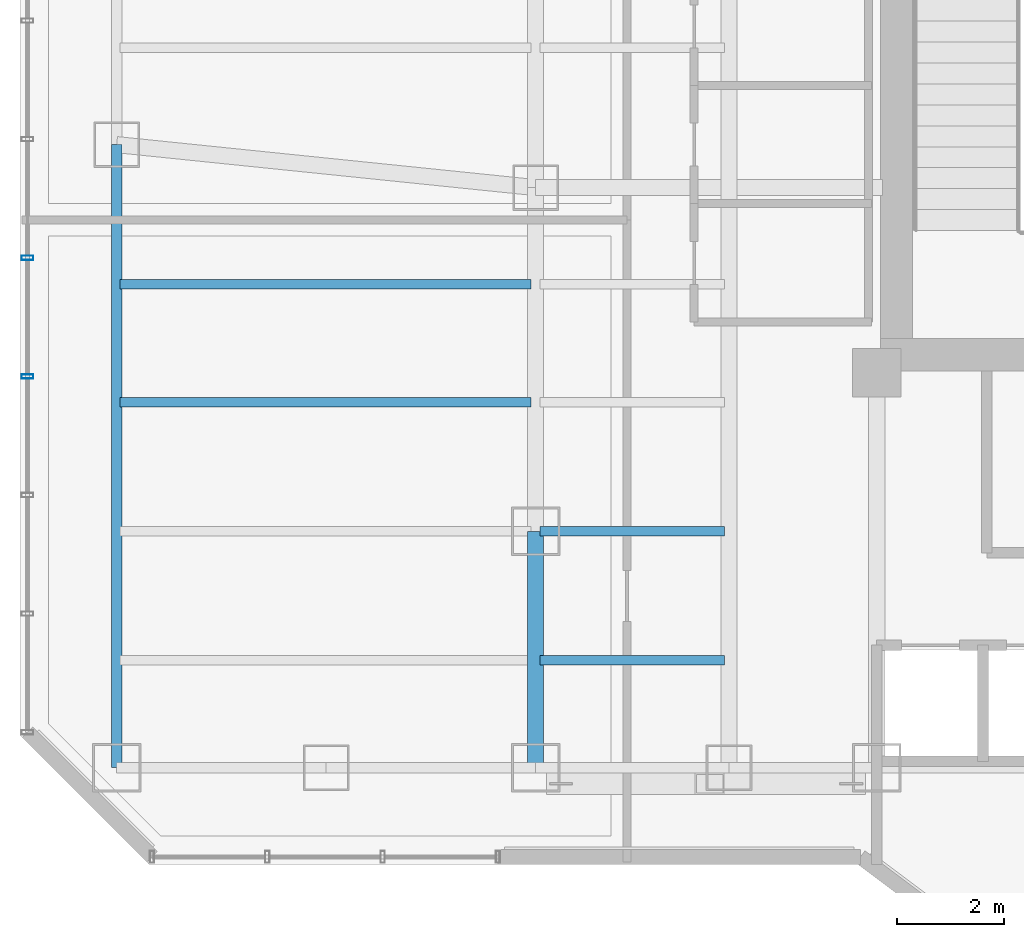
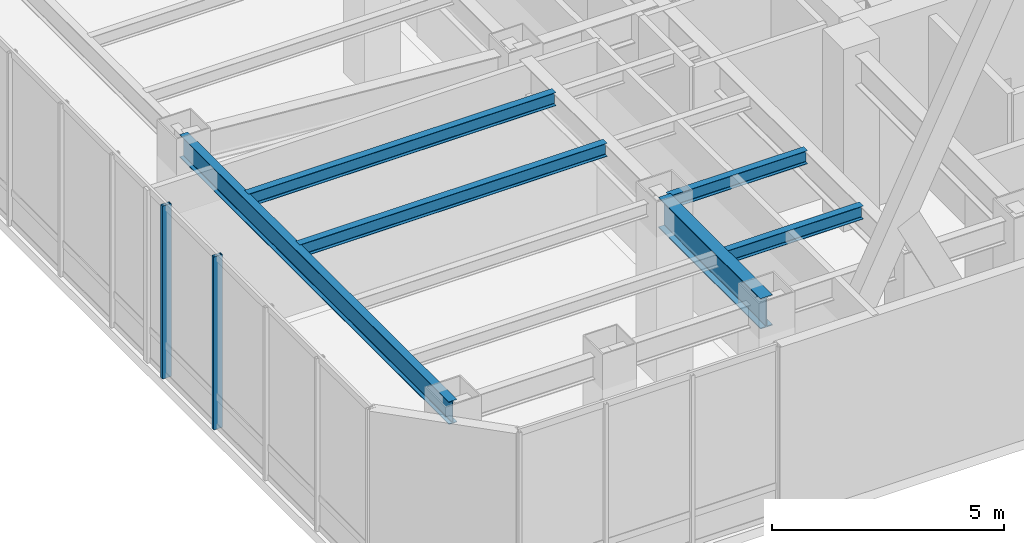
# One storey, part 3 of 27: 6 beams, 2 members, 1 element without a shape of its own.
"""IFC4 building model written with IfcOpenShell, lengths in metres."""

from ifc_helpers import new_model, si_unit, direction, frame, origin, origin_2d, place, context, subcontext, project, spatial, hollow_rectangle, i_section, extrude, material, layer, layer_set, material_profile, profile_set, type_object, element, aggregate, save


model = new_model("IFC4")

# Units and contexts
model_context = context("Model", 3, precision=1e-05, world=origin(), true_north=direction((0.0, 1.0)))
body_context = subcontext(model_context, "Body", "Model", "MODEL_VIEW")
ifc_project = project(units=[si_unit("LENGTHUNIT", "METRE"), si_unit("AREAUNIT", "SQUARE_METRE"), si_unit("VOLUMEUNIT", "CUBIC_METRE"), si_unit("PLANEANGLEUNIT", "RADIAN"), si_unit("MASSUNIT", "GRAM", prefix="KILO")], contexts=[model_context])

# Site, building, storey
site_placement = place(None, origin())
site = spatial("IfcSite", under=ifc_project, at=site_placement, CompositionType="ELEMENT")
building_placement = place(site_placement, origin())
building = spatial("IfcBuilding", under=site, at=building_placement, Name="Hatsunagi Terrace Concourse", CompositionType="ELEMENT")
storey_placement = place(building_placement, frame((0.0, 0.0, 96.449951171875)))
storey = spatial("IfcBuildingStorey", under=building, at=storey_placement, Name="L25", CompositionType="ELEMENT", Elevation=96.449951171875)

# Curtain wall, members
ifc_material_1 = material(Name="Anodised Aluminium Alloy 6063-T5", Category="aluminium")
ifc_layer = layer(ifc_material_1, 0.199951171875)
ifc_layer_set = layer_set([ifc_layer], Name="SkyLobbyAtrium_CW05")
curtain_wall_type = type_object("IfcCurtainWallType", Name="SkyLobbyAtrium_CW05", PredefinedType="NOTDEFINED", material=ifc_layer_set)
curtain_wall_placement = place(storey_placement, origin())
curtain_wall = element("IfcCurtainWall", 1, at=curtain_wall_placement, inside=storey, type_object=curtain_wall_type, Name="Unitised Curtain Wall CW-05 CW-L25-09", PredefinedType="NOTDEFINED")
ifc_material_2 = material(Name="Anodised Aluminium Alloy 6063-T5", Category="aluminium")
ifc_material_profile_1 = material_profile(ifc_material_2, hollow_rectangle(XDim=0.080078125, YDim=0.219970703125, WallThickness=0.0048828125, at=origin_2d()), Name="ALU-MUL-220x80x5")
ifc_profile_set_1 = profile_set([ifc_material_profile_1], Name="Anodised Aluminium Alloy 6063-T5")
member_type = type_object("IfcMemberType", Name="CurtainWallMullion_Heavy_220x80", PredefinedType="MULLION", material=ifc_profile_set_1)
member_1_placement = place(storey_placement, frame((9.739990234375, 32.48291015625, 0.0), z_axis=(0.0, 0.0, 1.0), x_axis=(0.0, 1.0, 0.0)))
member_1 = element("IfcMember", 2, at=member_1_placement, type_object=member_type, Name="Curtain Wall Mullion MUL-01", PredefinedType="MULLION", context=body_context, shape_type="SweptSolid", body=[
    extrude(hollow_rectangle(XDim=0.080078125, YDim=0.219970703125, WallThickness=0.0048828125, at=origin_2d()), origin(), (0.0, 0.0, 1.0), 4.550048828125),
])
member_2_placement = place(storey_placement, frame((9.739990234375, 34.69189453125, 0.0), z_axis=(0.0, 0.0, 1.0), x_axis=(0.0, 1.0, 0.0)))
member_2 = element("IfcMember", 3, at=member_2_placement, type_object=member_type, Name="Curtain Wall Mullion MUL-01", PredefinedType="MULLION", context=body_context, shape_type="SweptSolid", body=[
    extrude(hollow_rectangle(XDim=0.080078125, YDim=0.219970703125, WallThickness=0.0048828125, at=origin_2d()), origin(), (0.0, 0.0, 1.0), 4.550048828125),
])
aggregate(curtain_wall, [member_1, member_2])

# Beams
ifc_material_3 = material(Name="Steel SN490B", Category="steel")
ifc_material_profile_2 = material_profile(ifc_material_3, i_section(OverallWidth=0.175048828125, OverallDepth=0.35009765625, WebThickness=0.007080078125, FlangeThickness=0.010986328125, FilletRadius=0.012939453125, at=origin_2d()), Name="H-350x175x7x11")
ifc_profile_set_2 = profile_set([ifc_material_profile_2], Name="Steel SN490B")
beam_type_1 = type_object("IfcBeamType", Name="HotelJoist_H_350x175", PredefinedType="JOIST", material=ifc_profile_set_2)
for number, where, z_axis, x_axis, name in (
    (4, (19.284912109375, 27.199951171875, 4.375), (1.0, 0.0, 0.0), (0.0, 1.0, 0.0), "Beam J-02 J-L25-W-19-272"),
    (5, (19.284912109375, 29.60009765625, 4.375), (1.0, 0.0, 0.0), (0.0, 1.0, 0.0), "Beam J-02 J-L25-W-19-296"),
):
    element("IfcBeam", number, at=place(storey_placement, frame(where, z_axis=z_axis, x_axis=x_axis)), inside=storey, type_object=beam_type_1, Name=name, PredefinedType="JOIST", context=body_context, shape_type="SweptSolid", body=[
        extrude(i_section(OverallWidth=0.175048828125, OverallDepth=0.35009765625, WebThickness=0.007080078125, FlangeThickness=0.010986328125, FilletRadius=0.012939453125, at=origin_2d()), origin(), (0.0, 0.0, 1.0), 3.43017578125),
    ])
for number, where, z_axis, x_axis, name in (
    (6, (11.465087890625, 32.0, 4.375), (1.0, 0.0, 0.0), (0.0, 1.0, 0.0), "Beam J-02 J-L25-W-11-320"),
    (7, (11.465087890625, 34.199951171875, 4.375), (1.0, 0.0, 0.0), (0.0, 1.0, 0.0), "Beam J-02 J-L25-W-11-342"),
):
    element("IfcBeam", number, at=place(storey_placement, frame(where, z_axis=z_axis, x_axis=x_axis)), inside=storey, type_object=beam_type_1, Name=name, PredefinedType="JOIST", context=body_context, shape_type="SweptSolid", body=[
        extrude(i_section(OverallWidth=0.175048828125, OverallDepth=0.35009765625, WebThickness=0.007080078125, FlangeThickness=0.010986328125, FilletRadius=0.012939453125, at=origin_2d()), origin(), (0.0, 0.0, 1.0), 7.64990234375),
    ])
ifc_material_4 = material(Name="Steel SN490B", Category="steel")
ifc_material_profile_3 = material_profile(ifc_material_4, i_section(OverallWidth=0.199951171875, OverallDepth=0.60009765625, WebThickness=0.010986328125, FlangeThickness=0.01708984375, FilletRadius=0.01806640625, at=origin_2d()), Name="H-600x200x11x17")
ifc_profile_set_3 = profile_set([ifc_material_profile_3], Name="Steel SN490B")
beam_type_2 = type_object("IfcBeamType", Name="PerimeterSpandrel_H_600x200", PredefinedType="SPANDREL", material=ifc_profile_set_3)
beam_1_placement = place(storey_placement, frame((11.39990234375, 25.199951171875, 4.25), z_axis=(0.0, 1.0, 0.0), x_axis=(-1.0, 0.0, 0.0)))
element("IfcBeam", 8, at=beam_1_placement, inside=storey, type_object=beam_type_2, Name="Beam SP-01 BM-L25-NS-11-25", PredefinedType="SPANDREL", context=body_context, shape_type="SweptSolid", body=[
    extrude(i_section(OverallWidth=0.199951171875, OverallDepth=0.60009765625, WebThickness=0.010986328125, FlangeThickness=0.01708984375, FilletRadius=0.01806640625, at=origin_2d()), origin(), (0.0, 0.0, 1.0), 11.60009765625),
])
ifc_material_5 = material(Name="Steel SN490B", Category="steel")
ifc_material_profile_4 = material_profile(ifc_material_5, i_section(OverallWidth=0.300048828125, OverallDepth=0.800048828125, WebThickness=0.013916015625, FlangeThickness=0.02587890625, FilletRadius=0.02197265625, at=origin_2d()), Name="H-800x300x14x26")
ifc_profile_set_4 = profile_set([ifc_material_profile_4], Name="Steel SN490B")
beam_type_3 = type_object("IfcBeamType", Name="SkyLobbyGirder_H_800x300", PredefinedType="BEAM", material=ifc_profile_set_4)
beam_2_placement = place(storey_placement, frame((19.199951171875, 25.199951171875, 4.150146484375), z_axis=(0.0, 1.0, 0.0), x_axis=(-1.0, 0.0, 0.0)))
element("IfcBeam", 9, at=beam_2_placement, inside=storey, type_object=beam_type_3, Name="Beam G-03 BM-L25-NS-19-25", PredefinedType="BEAM", context=body_context, shape_type="SweptSolid", body=[
    extrude(i_section(OverallWidth=0.300048828125, OverallDepth=0.800048828125, WebThickness=0.013916015625, FlangeThickness=0.02587890625, FilletRadius=0.02197265625, at=origin_2d()), origin(), (0.0, 0.0, 1.0), 4.400146484375),
])

save(model, "model.ifc")
